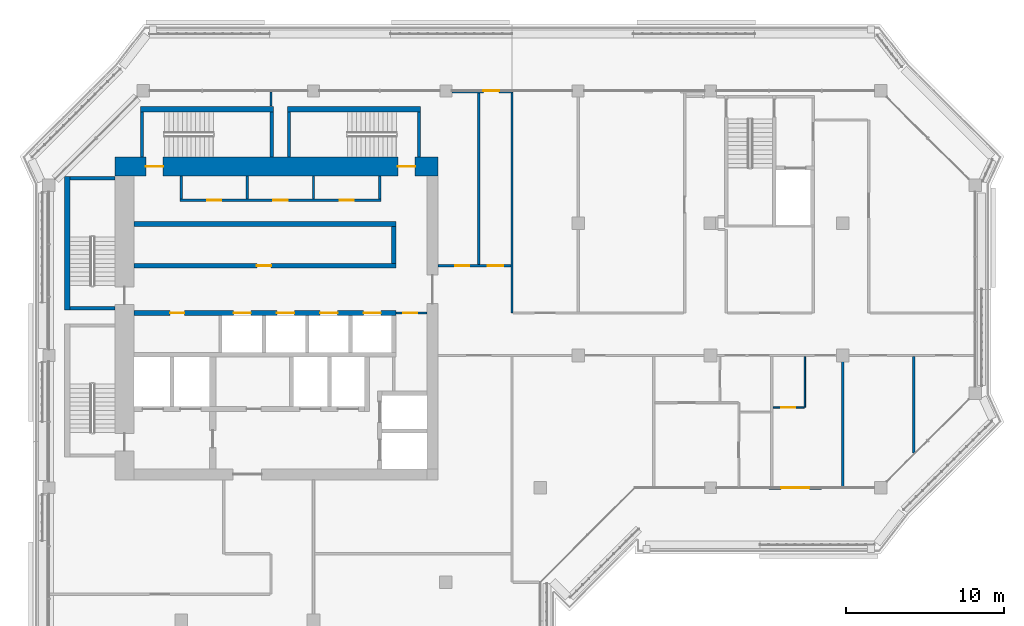
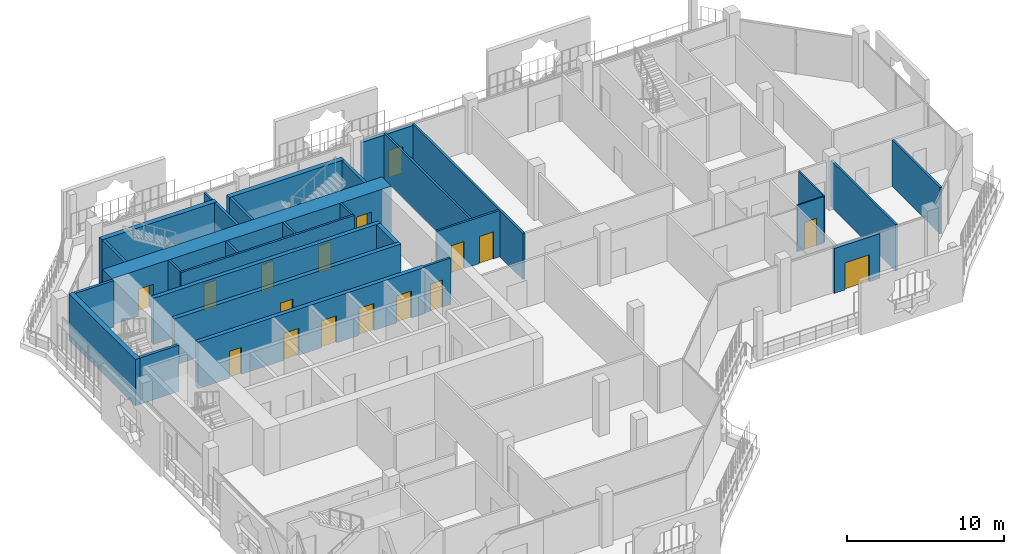
# One storey, part 12 of 21: 30 walls, 17 doors, 17 openings.
"""IFC4 building model written with IfcOpenShell, lengths in metres."""

from ifc_helpers import new_model, si_unit, direction, frame, frame_2d, origin, place, context, subcontext, project, spatial, rectangle, extrude, material, layer, layer_set, type_object, element, fill, save


model = new_model("IFC4")

# Units and contexts
model_context = context("Model", 3, precision=1e-05, world=origin(), true_north=direction((0.0, 1.0)))
body_context = subcontext(model_context, "Body", "Model", "MODEL_VIEW")
ifc_project = project(units=[si_unit("LENGTHUNIT", "METRE"), si_unit("AREAUNIT", "SQUARE_METRE"), si_unit("VOLUMEUNIT", "CUBIC_METRE"), si_unit("PLANEANGLEUNIT", "RADIAN"), si_unit("MASSUNIT", "GRAM", prefix="KILO")], contexts=[model_context])

# Site, building, storey
site_placement = place(None, origin())
site = spatial("IfcSite", under=ifc_project, at=site_placement, CompositionType="ELEMENT")
building_placement = place(site_placement, origin())
building = spatial("IfcBuilding", under=site, at=building_placement, Name="Kawkab Arch Medical Tower", CompositionType="ELEMENT")
storey_placement = place(building_placement, frame((0.0, 0.0, 315.39990234375)))
storey = spatial("IfcBuildingStorey", under=building, at=storey_placement, Name="L73", CompositionType="ELEMENT", Elevation=315.39990234375)

# Wall, openings, doors
ifc_material_1 = material(Name="Concrete C50/60", Category="concrete")
ifc_layer_1 = layer(ifc_material_1, 1.199951171875)
ifc_layer_set_1 = layer_set([ifc_layer_1], Name="Concrete C50/60")
wall_type_1 = type_object("IfcWallType", Name="Core ring wall 1200 C50/60", PredefinedType="SHEAR", material=ifc_layer_set_1)
wall_1_placement = place(storey_placement, frame((4.199951171875, -4.800048828125, 0.0), z_axis=(0.0, 0.0, 1.0), x_axis=(1.0, 0.0, 0.0)))
wall_1 = element("IfcWall", 1, at=wall_1_placement, inside=storey, type_object=wall_type_1, Name="L73 core wall", PredefinedType="SHEAR", context=body_context, shape_type="SweptSolid", body=[
    extrude(rectangle(XDim=20.5, YDim=1.199951171875, at=frame_2d((10.25, 0.0))), origin(), (0.0, 0.0, 1.0), 3.60009765625),
])
opening_1_placement = place(wall_1_placement, frame((1.949951171875, 0.0, 0.0)))
opening_1 = element("IfcOpeningElement", 2, at=opening_1_placement, cuts=wall_1, Name="Opening SD", PredefinedType="OPENING", context=body_context, shape_type="SweptSolid", body=[
    extrude(rectangle(XDim=1.10009765625, YDim=2.10009765625, at=frame_2d((0.550048828125, 1.050048828125))), frame((0.0, 0.60986328125, 0.0), z_axis=(0.0, -1.0, 0.0), x_axis=(1.0, 0.0, 0.0)), (0.0, 0.0, 1.0), 1.219970703125),
])
opening_2_placement = place(wall_1_placement, frame((17.949951171875, 0.0, 0.0)))
opening_2 = element("IfcOpeningElement", 3, at=opening_2_placement, cuts=wall_1, Name="Opening SD", PredefinedType="OPENING", context=body_context, shape_type="SweptSolid", body=[
    extrude(rectangle(XDim=1.10009765625, YDim=2.10009765625, at=frame_2d((0.550048828125, 1.050048828125))), frame((0.0, 0.60986328125, 0.0), z_axis=(0.0, -1.0, 0.0), x_axis=(1.0, 0.0, 0.0)), (0.0, 0.0, 1.0), 1.219970703125),
])
ifc_material_2 = material(Name="Hollow metal fire door leaf")
door_type_1 = type_object("IfcDoorType", Name="Exit stair door 1100", OperationType="SINGLE_SWING_LEFT", PredefinedType="DOOR", material=ifc_material_2)
door_1_placement = place(opening_1_placement, origin())
door_1 = element("IfcDoor", 4, at=door_1_placement, inside=storey, type_object=door_type_1, Name="L73 Exit stair ST3 door", OperationType="SINGLE_SWING_LEFT", OverallHeight=2.10009765625, OverallWidth=1.10009765625, PredefinedType="DOOR", context=body_context, shape_type="SweptSolid", body=[
    extrude(rectangle(XDim=1.10009765625, YDim=2.10009765625, at=frame_2d((0.550048828125, 1.050048828125))), frame((0.0, 0.02490234375, 0.0), z_axis=(0.0, -1.0, 0.0), x_axis=(1.0, 0.0, 0.0)), (0.0, 0.0, 1.0), 0.050048828125),
])
fill(opening_1, door_1)
door_2_placement = place(opening_2_placement, origin())
door_2 = element("IfcDoor", 5, at=door_2_placement, inside=storey, type_object=door_type_1, Name="L73 Exit stair ST4 door", OperationType="SINGLE_SWING_LEFT", OverallHeight=2.10009765625, OverallWidth=1.10009765625, PredefinedType="DOOR", context=body_context, shape_type="SweptSolid", body=[
    extrude(rectangle(XDim=1.10009765625, YDim=2.10009765625, at=frame_2d((0.550048828125, 1.050048828125))), frame((0.0, 0.02490234375, 0.0), z_axis=(0.0, -1.0, 0.0), x_axis=(1.0, 0.0, 0.0)), (0.0, 0.0, 1.0), 0.050048828125),
])
fill(opening_2, door_2)

# Wall, opening, door
ifc_material_3 = material(Name="Gypsum board on steel studs", Category="steel")
ifc_layer_2 = layer(ifc_material_3, 0.14990234375)
ifc_layer_set_2 = layer_set([ifc_layer_2], Name="Gypsum board on steel studs")
wall_type_2 = type_object("IfcWallType", Name="Core room partition 150", PredefinedType="PARTITIONING", material=ifc_layer_set_2)
wall_2_placement = place(storey_placement, frame((22.050048828125, -14.10009765625, 0.0), z_axis=(0.0, 0.0, 1.0), x_axis=(1.0, 0.0, 0.0)))
wall_2 = element("IfcWall", 6, at=wall_2_placement, inside=storey, type_object=wall_type_2, Name="L73 core room partition", PredefinedType="PARTITIONING", context=body_context, shape_type="SweptSolid", body=[
    extrude(rectangle(XDim=1.949951171875, YDim=0.14990234375, at=frame_2d((0.97509765625, 0.0))), origin(), (0.0, 0.0, 1.0), 3.60009765625),
])
opening_3_placement = place(wall_2_placement, frame((0.449951171875, 0.0, 0.0)))
opening_3 = element("IfcOpeningElement", 7, at=opening_3_placement, cuts=wall_2, Name="Opening RD", PredefinedType="OPENING", context=body_context, shape_type="SweptSolid", body=[
    extrude(rectangle(XDim=0.89990234375, YDim=2.10009765625, at=frame_2d((0.449951171875, 1.050048828125))), frame((0.0, 0.0849609375, 0.0), z_axis=(0.0, -1.0, 0.0), x_axis=(1.0, 0.0, 0.0)), (0.0, 0.0, 1.0), 0.169921875),
])
ifc_material_4 = material(Name="Hollow metal fire door leaf")
door_type_2 = type_object("IfcDoorType", Name="Core room door 900", OperationType="SINGLE_SWING_LEFT", PredefinedType="DOOR", material=ifc_material_4)
door_3_placement = place(opening_3_placement, origin())
door_3 = element("IfcDoor", 8, at=door_3_placement, inside=storey, type_object=door_type_2, Name="L73 Clean utility room door", OperationType="SINGLE_SWING_LEFT", OverallHeight=2.10009765625, OverallWidth=0.89990234375, PredefinedType="DOOR", context=body_context, shape_type="SweptSolid", body=[
    extrude(rectangle(XDim=0.89990234375, YDim=2.10009765625, at=frame_2d((0.449951171875, 1.050048828125))), frame((0.0, 0.02490234375, 0.0), z_axis=(0.0, -1.0, 0.0), x_axis=(1.0, 0.0, 0.0)), (0.0, 0.0, 1.0), 0.050048828125),
])
fill(opening_3, door_3)

# Wall, openings, doors
wall_3_placement = place(storey_placement, frame((8.324951171875, -6.949951171875, 0.0), z_axis=(0.0, 0.0, 1.0), x_axis=(1.0, 0.0, 0.0)))
wall_3 = element("IfcWall", 9, at=wall_3_placement, inside=storey, type_object=wall_type_2, Name="L73 core room partition", PredefinedType="PARTITIONING", context=body_context, shape_type="SweptSolid", body=[
    extrude(rectangle(XDim=12.75, YDim=0.14990234375, at=frame_2d((6.375, 0.0))), origin(), (0.0, 0.0, 1.0), 3.60009765625),
])
opening_4_placement = place(wall_3_placement, frame((1.72509765625, 0.0, 0.0)))
opening_4 = element("IfcOpeningElement", 10, at=opening_4_placement, cuts=wall_3, Name="Opening RD", PredefinedType="OPENING", context=body_context, shape_type="SweptSolid", body=[
    extrude(rectangle(XDim=0.89990234375, YDim=2.10009765625, at=frame_2d((0.449951171875, 1.050048828125))), frame((0.0, 0.0849609375, 0.0), z_axis=(0.0, -1.0, 0.0), x_axis=(1.0, 0.0, 0.0)), (0.0, 0.0, 1.0), 0.169921875),
])
opening_5_placement = place(wall_3_placement, frame((5.925048828125, 0.0, 0.0)))
opening_5 = element("IfcOpeningElement", 11, at=opening_5_placement, cuts=wall_3, Name="Opening RD", PredefinedType="OPENING", context=body_context, shape_type="SweptSolid", body=[
    extrude(rectangle(XDim=0.89990234375, YDim=2.10009765625, at=frame_2d((0.449951171875, 1.050048828125))), frame((0.0, 0.0849609375, 0.0), z_axis=(0.0, -1.0, 0.0), x_axis=(1.0, 0.0, 0.0)), (0.0, 0.0, 1.0), 0.169921875),
])
opening_6_placement = place(wall_3_placement, frame((10.125, 0.0, 0.0)))
opening_6 = element("IfcOpeningElement", 12, at=opening_6_placement, cuts=wall_3, Name="Opening RD", PredefinedType="OPENING", context=body_context, shape_type="SweptSolid", body=[
    extrude(rectangle(XDim=0.89990234375, YDim=2.10009765625, at=frame_2d((0.449951171875, 1.050048828125))), frame((0.0, 0.0849609375, 0.0), z_axis=(0.0, -1.0, 0.0), x_axis=(1.0, 0.0, 0.0)), (0.0, 0.0, 1.0), 0.169921875),
])
door_4_placement = place(opening_4_placement, origin())
door_4 = element("IfcDoor", 13, at=door_4_placement, inside=storey, type_object=door_type_2, Name="L73 Electrical riser room door", OperationType="SINGLE_SWING_LEFT", OverallHeight=2.10009765625, OverallWidth=0.89990234375, PredefinedType="DOOR", context=body_context, shape_type="SweptSolid", body=[
    extrude(rectangle(XDim=0.89990234375, YDim=2.10009765625, at=frame_2d((0.449951171875, 1.050048828125))), frame((0.0, 0.02490234375, 0.0), z_axis=(0.0, -1.0, 0.0), x_axis=(1.0, 0.0, 0.0)), (0.0, 0.0, 1.0), 0.050048828125),
])
fill(opening_4, door_4)
door_5_placement = place(opening_5_placement, origin())
door_5 = element("IfcDoor", 14, at=door_5_placement, inside=storey, type_object=door_type_2, Name="L73 Equipment store door", OperationType="SINGLE_SWING_LEFT", OverallHeight=2.10009765625, OverallWidth=0.89990234375, PredefinedType="DOOR", context=body_context, shape_type="SweptSolid", body=[
    extrude(rectangle(XDim=0.89990234375, YDim=2.10009765625, at=frame_2d((0.449951171875, 1.050048828125))), frame((0.0, 0.02490234375, 0.0), z_axis=(0.0, -1.0, 0.0), x_axis=(1.0, 0.0, 0.0)), (0.0, 0.0, 1.0), 0.050048828125),
])
fill(opening_5, door_5)
door_6_placement = place(opening_6_placement, origin())
door_6 = element("IfcDoor", 15, at=door_6_placement, inside=storey, type_object=door_type_2, Name="L73 Sprinkler valve room door", OperationType="SINGLE_SWING_LEFT", OverallHeight=2.10009765625, OverallWidth=0.89990234375, PredefinedType="DOOR", context=body_context, shape_type="SweptSolid", body=[
    extrude(rectangle(XDim=0.89990234375, YDim=2.10009765625, at=frame_2d((0.449951171875, 1.050048828125))), frame((0.0, 0.02490234375, 0.0), z_axis=(0.0, -1.0, 0.0), x_axis=(1.0, 0.0, 0.0)), (0.0, 0.0, 1.0), 0.050048828125),
])
fill(opening_6, door_6)

# Walls
for number, where, z_axis, x_axis, name in (
    (16, (8.39990234375, -6.875, 0.0), (0.0, 0.0, 1.0), (0.0, 1.0, 0.0), "L73 core room partition"),
    (17, (12.60009765625, -6.875, 0.0), (0.0, 0.0, 1.0), (0.0, 1.0, 0.0), "L73 core room partition"),
    (18, (16.800048828125, -6.875, 0.0), (0.0, 0.0, 1.0), (0.0, 1.0, 0.0), "L73 core room partition"),
    (19, (21.0, -6.875, 0.0), (0.0, 0.0, 1.0), (0.0, 1.0, 0.0), "L73 core room partition"),
):
    element("IfcWall", number, at=place(storey_placement, frame(where, z_axis=z_axis, x_axis=x_axis)), inside=storey, type_object=wall_type_2, Name=name, PredefinedType="PARTITIONING", context=body_context, shape_type="SweptSolid", body=[
        extrude(rectangle(XDim=1.47509765625, YDim=0.14990234375, at=frame_2d((0.737548828125, 0.0))), origin(), (0.0, 0.0, 1.0), 3.60009765625),
    ])
ifc_material_5 = material(Name="Concrete C60/75", Category="concrete")
ifc_layer_3 = layer(ifc_material_5, 0.300048828125)
ifc_layer_set_3 = layer_set([ifc_layer_3], Name="Concrete C60/75")
wall_type_3 = type_object("IfcWallType", Name="Core shear wall 300 C60/75", PredefinedType="SHEAR", material=ifc_layer_set_3)
wall_4_placement = place(storey_placement, frame((5.39990234375, -8.449951171875, 0.0), z_axis=(0.0, 0.0, 1.0), x_axis=(1.0, 0.0, 0.0)))
element("IfcWall", 20, at=wall_4_placement, inside=storey, type_object=wall_type_3, Name="L73 core shear wall", PredefinedType="SHEAR", context=body_context, shape_type="SweptSolid", body=[
    extrude(rectangle(XDim=16.650146484375, YDim=0.300048828125, at=frame_2d((8.3251953125, 0.0))), origin(), (0.0, 0.0, 1.0), 3.60009765625),
])

# Wall, opening, door
wall_5_placement = place(storey_placement, frame((5.39990234375, -11.10009765625, 0.0), z_axis=(0.0, 0.0, 1.0), x_axis=(1.0, 0.0, 0.0)))
wall_5 = element("IfcWall", 21, at=wall_5_placement, inside=storey, type_object=wall_type_3, Name="L73 core shear wall", PredefinedType="SHEAR", context=body_context, shape_type="SweptSolid", body=[
    extrude(rectangle(XDim=16.650146484375, YDim=0.300048828125, at=frame_2d((8.3251953125, 0.0))), origin(), (0.0, 0.0, 1.0), 3.60009765625),
])
opening_7_placement = place(wall_5_placement, frame((7.800048828125, 0.0, 0.0)))
opening_7 = element("IfcOpeningElement", 22, at=opening_7_placement, cuts=wall_5, Name="Opening RD", PredefinedType="OPENING", context=body_context, shape_type="SweptSolid", body=[
    extrude(rectangle(XDim=0.89990234375, YDim=2.10009765625, at=frame_2d((0.449951171875, 1.050048828125))), frame((0.0, 0.159912109375, 0.0), z_axis=(0.0, -1.0, 0.0), x_axis=(1.0, 0.0, 0.0)), (0.0, 0.0, 1.0), 0.320068359375),
])
door_7_placement = place(opening_7_placement, origin())
door_7 = element("IfcDoor", 23, at=door_7_placement, inside=storey, type_object=door_type_2, Name="L73 General store door", OperationType="SINGLE_SWING_LEFT", OverallHeight=2.10009765625, OverallWidth=0.89990234375, PredefinedType="DOOR", context=body_context, shape_type="SweptSolid", body=[
    extrude(rectangle(XDim=0.89990234375, YDim=2.10009765625, at=frame_2d((0.449951171875, 1.050048828125))), frame((0.0, 0.02490234375, 0.0), z_axis=(0.0, -1.0, 0.0), x_axis=(1.0, 0.0, 0.0)), (0.0, 0.0, 1.0), 0.050048828125),
])
fill(opening_7, door_7)

# Wall, openings, doors
wall_6_placement = place(storey_placement, frame((5.39990234375, -14.10009765625, 0.0), z_axis=(0.0, 0.0, 1.0), x_axis=(1.0, 0.0, 0.0)))
wall_6 = element("IfcWall", 24, at=wall_6_placement, inside=storey, type_object=wall_type_3, Name="L73 core shear wall", PredefinedType="SHEAR", context=body_context, shape_type="SweptSolid", body=[
    extrude(rectangle(XDim=16.650146484375, YDim=0.300048828125, at=frame_2d((8.3251953125, 0.0))), origin(), (0.0, 0.0, 1.0), 3.60009765625),
])
opening_8_placement = place(wall_6_placement, frame((6.324951171875, 0.0, 0.0)))
opening_8 = element("IfcOpeningElement", 25, at=opening_8_placement, cuts=wall_6, Name="Opening LD1", PredefinedType="OPENING", context=body_context, shape_type="SweptSolid", body=[
    extrude(rectangle(XDim=1.10009765625, YDim=2.10009765625, at=frame_2d((0.550048828125, 1.050048828125))), frame((0.0, 0.159912109375, 0.0), z_axis=(0.0, -1.0, 0.0), x_axis=(1.0, 0.0, 0.0)), (0.0, 0.0, 1.0), 0.320068359375),
])
opening_9_placement = place(wall_6_placement, frame((9.074951171875, 0.0, 0.0)))
opening_9 = element("IfcOpeningElement", 26, at=opening_9_placement, cuts=wall_6, Name="Opening LD1", PredefinedType="OPENING", context=body_context, shape_type="SweptSolid", body=[
    extrude(rectangle(XDim=1.10009765625, YDim=2.10009765625, at=frame_2d((0.550048828125, 1.050048828125))), frame((0.0, 0.159912109375, 0.0), z_axis=(0.0, -1.0, 0.0), x_axis=(1.0, 0.0, 0.0)), (0.0, 0.0, 1.0), 0.320068359375),
])
opening_10_placement = place(wall_6_placement, frame((11.824951171875, 0.0, 0.0)))
opening_10 = element("IfcOpeningElement", 27, at=opening_10_placement, cuts=wall_6, Name="Opening LD1", PredefinedType="OPENING", context=body_context, shape_type="SweptSolid", body=[
    extrude(rectangle(XDim=1.10009765625, YDim=2.10009765625, at=frame_2d((0.550048828125, 1.050048828125))), frame((0.0, 0.159912109375, 0.0), z_axis=(0.0, -1.0, 0.0), x_axis=(1.0, 0.0, 0.0)), (0.0, 0.0, 1.0), 0.320068359375),
])
opening_11_placement = place(wall_6_placement, frame((14.574951171875, 0.0, 0.0)))
opening_11 = element("IfcOpeningElement", 28, at=opening_11_placement, cuts=wall_6, Name="Opening LD1", PredefinedType="OPENING", context=body_context, shape_type="SweptSolid", body=[
    extrude(rectangle(XDim=1.10009765625, YDim=2.10009765625, at=frame_2d((0.550048828125, 1.050048828125))), frame((0.0, 0.159912109375, 0.0), z_axis=(0.0, -1.0, 0.0), x_axis=(1.0, 0.0, 0.0)), (0.0, 0.0, 1.0), 0.320068359375),
])
opening_12_placement = place(wall_6_placement, frame((2.300048828125, 0.0, 0.0)))
opening_12 = element("IfcOpeningElement", 29, at=opening_12_placement, cuts=wall_6, Name="Opening RD", PredefinedType="OPENING", context=body_context, shape_type="SweptSolid", body=[
    extrude(rectangle(XDim=0.89990234375, YDim=2.10009765625, at=frame_2d((0.449951171875, 1.050048828125))), frame((0.0, 0.159912109375, 0.0), z_axis=(0.0, -1.0, 0.0), x_axis=(1.0, 0.0, 0.0)), (0.0, 0.0, 1.0), 0.320068359375),
])
door_8_placement = place(opening_12_placement, origin())
door_8 = element("IfcDoor", 30, at=door_8_placement, inside=storey, type_object=door_type_2, Name="L73 General store door", OperationType="SINGLE_SWING_LEFT", OverallHeight=2.10009765625, OverallWidth=0.89990234375, PredefinedType="DOOR", context=body_context, shape_type="SweptSolid", body=[
    extrude(rectangle(XDim=0.89990234375, YDim=2.10009765625, at=frame_2d((0.449951171875, 1.050048828125))), frame((0.0, 0.02490234375, 0.0), z_axis=(0.0, -1.0, 0.0), x_axis=(1.0, 0.0, 0.0)), (0.0, 0.0, 1.0), 0.050048828125),
])
fill(opening_12, door_8)
ifc_material_6 = material(Name="Stainless steel lift door leaf", Category="steel")
door_type_3 = type_object("IfcDoorType", Name="Lift landing door 1100", OperationType="DOUBLE_DOOR_SLIDING", PredefinedType="DOOR", material=ifc_material_6)
door_9_placement = place(opening_8_placement, origin())
door_9 = element("IfcDoor", 31, at=door_9_placement, inside=storey, type_object=door_type_3, Name="L73 Lift landing door HP1", OperationType="DOUBLE_DOOR_SLIDING", OverallHeight=2.10009765625, OverallWidth=1.10009765625, PredefinedType="DOOR", context=body_context, shape_type="SweptSolid", body=[
    extrude(rectangle(XDim=1.10009765625, YDim=2.10009765625, at=frame_2d((0.550048828125, 1.050048828125))), frame((0.0, 0.02490234375, 0.0), z_axis=(0.0, -1.0, 0.0), x_axis=(1.0, 0.0, 0.0)), (0.0, 0.0, 1.0), 0.050048828125),
])
fill(opening_8, door_9)
door_10_placement = place(opening_9_placement, origin())
door_10 = element("IfcDoor", 32, at=door_10_placement, inside=storey, type_object=door_type_3, Name="L73 Lift landing door HP2", OperationType="DOUBLE_DOOR_SLIDING", OverallHeight=2.10009765625, OverallWidth=1.10009765625, PredefinedType="DOOR", context=body_context, shape_type="SweptSolid", body=[
    extrude(rectangle(XDim=1.10009765625, YDim=2.10009765625, at=frame_2d((0.550048828125, 1.050048828125))), frame((0.0, 0.02490234375, 0.0), z_axis=(0.0, -1.0, 0.0), x_axis=(1.0, 0.0, 0.0)), (0.0, 0.0, 1.0), 0.050048828125),
])
fill(opening_9, door_10)
door_11_placement = place(opening_10_placement, origin())
door_11 = element("IfcDoor", 33, at=door_11_placement, inside=storey, type_object=door_type_3, Name="L73 Lift landing door HP3", OperationType="DOUBLE_DOOR_SLIDING", OverallHeight=2.10009765625, OverallWidth=1.10009765625, PredefinedType="DOOR", context=body_context, shape_type="SweptSolid", body=[
    extrude(rectangle(XDim=1.10009765625, YDim=2.10009765625, at=frame_2d((0.550048828125, 1.050048828125))), frame((0.0, 0.02490234375, 0.0), z_axis=(0.0, -1.0, 0.0), x_axis=(1.0, 0.0, 0.0)), (0.0, 0.0, 1.0), 0.050048828125),
])
fill(opening_10, door_11)
door_12_placement = place(opening_11_placement, origin())
door_12 = element("IfcDoor", 34, at=door_12_placement, inside=storey, type_object=door_type_3, Name="L73 Lift landing door HP4", OperationType="DOUBLE_DOOR_SLIDING", OverallHeight=2.10009765625, OverallWidth=1.10009765625, PredefinedType="DOOR", context=body_context, shape_type="SweptSolid", body=[
    extrude(rectangle(XDim=1.10009765625, YDim=2.10009765625, at=frame_2d((0.550048828125, 1.050048828125))), frame((0.0, 0.02490234375, 0.0), z_axis=(0.0, -1.0, 0.0), x_axis=(1.0, 0.0, 0.0)), (0.0, 0.0, 1.0), 0.050048828125),
])
fill(opening_11, door_12)

# Wall
wall_7_placement = place(storey_placement, frame((21.89990234375, -10.949951171875, 0.0), z_axis=(0.0, 0.0, 1.0), x_axis=(0.0, 1.0, 0.0)))
element("IfcWall", 35, at=wall_7_placement, inside=storey, type_object=wall_type_3, Name="L73 core shear wall", PredefinedType="SHEAR", context=body_context, shape_type="SweptSolid", body=[
    extrude(rectangle(XDim=2.349853515625, YDim=0.300048828125, at=frame_2d((1.1748046875, 0.0))), origin(), (0.0, 0.0, 1.0), 3.60009765625),
])

# Wall, opening, door
ifc_material_7 = material(Name="Bronze clad insulated wall panel")
ifc_layer_4 = layer(ifc_material_7, 0.25)
ifc_layer_set_4 = layer_set([ifc_layer_4], Name="Bronze clad insulated wall panel")
wall_type_4 = type_object("IfcWallType", Name="External wall bay 250", PredefinedType="SOLIDWALL", material=ifc_layer_set_4)
wall_8_placement = place(storey_placement, frame((45.716552734375, -25.199951171875, 0.0), z_axis=(0.0, 0.0, 1.0), x_axis=(1.0, 0.0, 0.0)))
wall_8 = element("IfcWall", 36, at=wall_8_placement, inside=storey, type_object=wall_type_4, Name="External wall bay L73.R11.2.2", PredefinedType="SOLIDWALL", context=body_context, shape_type="SweptSolid", body=[
    extrude(rectangle(XDim=3.341796875, YDim=0.25, at=frame_2d((1.6708984375, 0.0))), origin(), (0.0, 0.0, 1.0), 3.47998046875),
])
opening_13_placement = place(wall_8_placement, frame((0.770751953125, 0.0, 0.0)))
opening_13 = element("IfcOpeningElement", 37, at=opening_13_placement, cuts=wall_8, Name="Opening W68-701", PredefinedType="OPENING", context=body_context, shape_type="SweptSolid", body=[
    extrude(rectangle(XDim=1.800048828125, YDim=2.10009765625, at=frame_2d((0.89990234375, 1.050048828125))), frame((0.0, 0.135009765625, 0.0), z_axis=(0.0, -1.0, 0.0), x_axis=(1.0, 0.0, 0.0)), (0.0, 0.0, 1.0), 0.27001953125),
])
ifc_material_8 = material(Name="Bronze anodised aluminium door with tinted glass", Category="aluminium")
door_type_4 = type_object("IfcDoorType", Name="Double external door 1800 x 2100", OperationType="DOUBLE_DOOR_SINGLE_SWING", PredefinedType="DOOR", material=ifc_material_8)
door_13_placement = place(opening_13_placement, origin())
door_13 = element("IfcDoor", 38, at=door_13_placement, inside=storey, type_object=door_type_4, Name="External door L73.R11.2.2", OperationType="DOUBLE_DOOR_SINGLE_SWING", OverallHeight=2.10009765625, OverallWidth=1.800048828125, PredefinedType="DOOR", context=body_context, shape_type="SweptSolid", body=[
    extrude(rectangle(XDim=1.800048828125, YDim=2.10009765625, at=frame_2d((0.89990234375, 1.050048828125))), frame((0.0, 0.02490234375, 0.0), z_axis=(0.0, -1.0, 0.0), x_axis=(1.0, 0.0, 0.0)), (0.0, 0.0, 1.0), 0.050048828125),
])
fill(opening_13, door_13)

wall_9_placement = place(storey_placement, frame((29.39990234375, 0.0, 0.0), z_axis=(0.0, 0.0, 1.0), x_axis=(-1.0, 0.0, 0.0)))
wall_9 = element("IfcWall", 39, at=wall_9_placement, inside=storey, type_object=wall_type_4, Name="External wall bay L73.R15.3.2", PredefinedType="SOLIDWALL", context=body_context, shape_type="SweptSolid", body=[
    extrude(rectangle(XDim=3.824951171875, YDim=0.25, at=frame_2d((1.91259765625, 0.0))), origin(), (0.0, 0.0, 1.0), 3.47998046875),
])
opening_14_placement = place(wall_9_placement, frame((0.8125, 0.0, 0.0)))
opening_14 = element("IfcOpeningElement", 40, at=opening_14_placement, cuts=wall_9, Name="Opening W68-702", PredefinedType="OPENING", context=body_context, shape_type="SweptSolid", body=[
    extrude(rectangle(XDim=1.0, YDim=2.10009765625, at=frame_2d((0.5, 1.050048828125))), frame((0.0, 0.135009765625, 0.0), z_axis=(0.0, -1.0, 0.0), x_axis=(1.0, 0.0, 0.0)), (0.0, 0.0, 1.0), 0.27001953125),
])
ifc_material_9 = material(Name="Bronze anodised aluminium door with tinted glass", Category="aluminium")
door_type_5 = type_object("IfcDoorType", Name="Single external door 1000 x 2100", OperationType="SINGLE_SWING_LEFT", PredefinedType="DOOR", material=ifc_material_9)
door_14_placement = place(opening_14_placement, origin())
door_14 = element("IfcDoor", 41, at=door_14_placement, inside=storey, type_object=door_type_5, Name="External door L73.R15.3.2", OperationType="SINGLE_SWING_LEFT", OverallHeight=2.10009765625, OverallWidth=1.0, PredefinedType="DOOR", context=body_context, shape_type="SweptSolid", body=[
    extrude(rectangle(XDim=1.0, YDim=2.10009765625, at=frame_2d((0.5, 1.050048828125))), frame((0.0, 0.02490234375, 0.0), z_axis=(0.0, -1.0, 0.0), x_axis=(1.0, 0.0, 0.0)), (0.0, 0.0, 1.0), 0.050048828125),
])
fill(opening_14, door_14)

ifc_material_10 = material(Name="Gypsum board partition on steel studs", Category="steel")
ifc_layer_5 = layer(ifc_material_10, 0.10009765625)
ifc_layer_set_5 = layer_set([ifc_layer_5], Name="Gypsum board partition on steel studs")
wall_type_5 = type_object("IfcWallType", Name="Partition 100", PredefinedType="PARTITIONING", material=ifc_layer_set_5)
wall_10_placement = place(storey_placement, frame((45.97509765625, -20.10009765625, 0.0), z_axis=(0.0, 0.0, 1.0), x_axis=(1.0, 0.0, 0.0)))
wall_10 = element("IfcWall", 42, at=wall_10_placement, inside=storey, type_object=wall_type_5, Name="Partition 100 w002", PredefinedType="PARTITIONING", context=body_context, shape_type="SweptSolid", body=[
    extrude(rectangle(XDim=1.974853515625, YDim=0.10009765625, at=frame_2d((0.9873046875, 0.0))), origin(), (0.0, 0.0, 1.0), 3.60009765625),
])
opening_15_placement = place(wall_10_placement, frame((0.52490234375, 0.0, 0.0)))
opening_15 = element("IfcOpeningElement", 43, at=opening_15_placement, cuts=wall_10, Name="Opening W68-005", PredefinedType="OPENING", context=body_context, shape_type="SweptSolid", body=[
    extrude(rectangle(XDim=0.89990234375, YDim=2.10009765625, at=frame_2d((0.449951171875, 1.050048828125))), frame((0.0, 0.06005859375, 0.0), z_axis=(0.0, -1.0, 0.0), x_axis=(1.0, 0.0, 0.0)), (0.0, 0.0, 1.0), 0.1201171875),
])
ifc_material_11 = material(Name="Timber door leaf", Category="wood")
door_type_6 = type_object("IfcDoorType", Name="Single door 900x2100", OperationType="NOTDEFINED", PredefinedType="DOOR", material=ifc_material_11)
door_15_placement = place(opening_15_placement, origin())
door_15 = element("IfcDoor", 44, at=door_15_placement, inside=storey, type_object=door_type_6, Name="Door W68-005", OperationType="SINGLE_SWING_LEFT", OverallHeight=2.10009765625, OverallWidth=0.89990234375, PredefinedType="DOOR", context=body_context, shape_type="SweptSolid", body=[
    extrude(rectangle(XDim=0.89990234375, YDim=2.10009765625, at=frame_2d((0.449951171875, 1.050048828125))), frame((0.0, 0.02490234375, 0.0), z_axis=(0.0, -1.0, 0.0), x_axis=(1.0, 0.0, 0.0)), (0.0, 0.0, 1.0), 0.050048828125),
])
fill(opening_15, door_15)

# Wall
wall_11_placement = place(storey_placement, frame((48.0, -20.10009765625, 0.0), z_axis=(0.0, 0.0, 1.0), x_axis=(0.0, 1.0, 0.0)))
element("IfcWall", 45, at=wall_11_placement, inside=storey, type_object=wall_type_5, Name="Partition 100 w006", PredefinedType="PARTITIONING", context=body_context, shape_type="SweptSolid", body=[
    extrude(rectangle(XDim=3.22509765625, YDim=0.10009765625, at=frame_2d((1.612548828125, 0.0))), origin(), (0.0, 0.0, 1.0), 3.60009765625),
])

# Wall, openings, doors
ifc_material_12 = material(Name="Gypsum board partition on steel studs, mineral wool", Category="steel")
ifc_layer_6 = layer(ifc_material_12, 0.14990234375)
ifc_layer_set_6 = layer_set([ifc_layer_6], Name="Gypsum board partition on steel studs, mineral wool")
wall_type_6 = type_object("IfcWallType", Name="Partition 150", PredefinedType="PARTITIONING", material=ifc_layer_set_6)
wall_12_placement = place(storey_placement, frame((24.699951171875, -11.10009765625, 0.0), z_axis=(0.0, 0.0, 1.0), x_axis=(1.0, 0.0, 0.0)))
wall_12 = element("IfcWall", 46, at=wall_12_placement, inside=storey, type_object=wall_type_6, Name="Partition 150 w018", PredefinedType="PARTITIONING", context=body_context, shape_type="SweptSolid", body=[
    extrude(rectangle(XDim=4.625, YDim=0.14990234375, at=frame_2d((2.3125, 0.0))), origin(), (0.0, 0.0, 1.0), 3.60009765625),
])
opening_16_placement = place(wall_12_placement, frame((1.10009765625, 0.0, 0.0)))
opening_16 = element("IfcOpeningElement", 47, at=opening_16_placement, cuts=wall_12, Name="Opening W68-006", PredefinedType="OPENING", context=body_context, shape_type="SweptSolid", body=[
    extrude(rectangle(XDim=0.89990234375, YDim=2.10009765625, at=frame_2d((0.449951171875, 1.050048828125))), frame((0.0, 0.0849609375, 0.0), z_axis=(0.0, -1.0, 0.0), x_axis=(1.0, 0.0, 0.0)), (0.0, 0.0, 1.0), 0.169921875),
])
opening_17_placement = place(wall_12_placement, frame((3.14990234375, 0.0, 0.0)))
opening_17 = element("IfcOpeningElement", 48, at=opening_17_placement, cuts=wall_12, Name="Opening W68-009", PredefinedType="OPENING", context=body_context, shape_type="SweptSolid", body=[
    extrude(rectangle(XDim=1.0, YDim=2.10009765625, at=frame_2d((0.5, 1.050048828125))), frame((0.0, 0.0849609375, 0.0), z_axis=(0.0, -1.0, 0.0), x_axis=(1.0, 0.0, 0.0)), (0.0, 0.0, 1.0), 0.169921875),
])
ifc_material_13 = material(Name="Timber door leaf", Category="wood")
door_type_7 = type_object("IfcDoorType", Name="Single door 1000x2100", OperationType="NOTDEFINED", PredefinedType="DOOR", material=ifc_material_13)
door_16_placement = place(opening_17_placement, origin())
door_16 = element("IfcDoor", 49, at=door_16_placement, inside=storey, type_object=door_type_7, Name="Door W68-009", OperationType="SINGLE_SWING_RIGHT", OverallHeight=2.10009765625, OverallWidth=1.0, PredefinedType="DOOR", context=body_context, shape_type="SweptSolid", body=[
    extrude(rectangle(XDim=1.0, YDim=2.10009765625, at=frame_2d((0.5, 1.050048828125))), frame((0.0, 0.02490234375, 0.0), z_axis=(0.0, -1.0, 0.0), x_axis=(1.0, 0.0, 0.0)), (0.0, 0.0, 1.0), 0.050048828125),
])
fill(opening_17, door_16)
door_17_placement = place(opening_16_placement, origin())
door_17 = element("IfcDoor", 50, at=door_17_placement, inside=storey, type_object=door_type_6, Name="Door W68-006", OperationType="SINGLE_SWING_LEFT", OverallHeight=2.10009765625, OverallWidth=0.89990234375, PredefinedType="DOOR", context=body_context, shape_type="SweptSolid", body=[
    extrude(rectangle(XDim=0.89990234375, YDim=2.10009765625, at=frame_2d((0.449951171875, 1.050048828125))), frame((0.0, 0.02490234375, 0.0), z_axis=(0.0, -1.0, 0.0), x_axis=(1.0, 0.0, 0.0)), (0.0, 0.0, 1.0), 0.050048828125),
])
fill(opening_16, door_17)

# Walls
wall_13_placement = place(storey_placement, frame((14.10009765625, -0.969970703125, 0.0), z_axis=(0.0, 0.0, 1.0), x_axis=(0.0, 1.0, 0.0)))
element("IfcWall", 51, at=wall_13_placement, inside=storey, type_object=wall_type_6, Name="Partition 150 w029", PredefinedType="PARTITIONING", context=body_context, shape_type="SweptSolid", body=[
    extrude(rectangle(XDim=0.889892578125, YDim=0.14990234375, at=frame_2d((0.44482421875, 0.0))), origin(), (0.0, 0.0, 1.0), 3.60009765625),
])
wall_14_placement = place(storey_placement, frame((27.300048828125, -11.02490234375, 0.0), z_axis=(0.0, 0.0, 1.0), x_axis=(0.0, 1.0, 0.0)))
element("IfcWall", 52, at=wall_14_placement, inside=storey, type_object=wall_type_6, Name="Partition 150 w031", PredefinedType="PARTITIONING", context=body_context, shape_type="SweptSolid", body=[
    extrude(rectangle(XDim=10.94482421875, YDim=0.14990234375, at=frame_2d((5.472412109375, 0.0))), origin(), (0.0, 0.0, 1.0), 3.60009765625),
])
wall_15_placement = place(storey_placement, frame((29.39990234375, -14.10009765625, 0.0), z_axis=(0.0, 0.0, 1.0), x_axis=(0.0, 1.0, 0.0)))
element("IfcWall", 53, at=wall_15_placement, inside=storey, type_object=wall_type_6, Name="Partition 150 w033", PredefinedType="PARTITIONING", context=body_context, shape_type="SweptSolid", body=[
    extrude(rectangle(XDim=14.02001953125, YDim=0.14990234375, at=frame_2d((7.010009765625, 0.0))), origin(), (0.0, 0.0, 1.0), 3.60009765625),
])
wall_16_placement = place(storey_placement, frame((50.39990234375, -25.1201171875, 0.0), z_axis=(0.0, 0.0, 1.0), x_axis=(0.0, 1.0, 0.0)))
element("IfcWall", 54, at=wall_16_placement, inside=storey, type_object=wall_type_6, Name="Partition 150 w041", PredefinedType="PARTITIONING", context=body_context, shape_type="SweptSolid", body=[
    extrude(rectangle(XDim=8.2451171875, YDim=0.14990234375, at=frame_2d((4.12255859375, 0.0))), origin(), (0.0, 0.0, 1.0), 3.60009765625),
])
wall_17_placement = place(storey_placement, frame((54.89990234375, -22.987060546875, 0.0), z_axis=(0.0, 0.0, 1.0), x_axis=(0.0, 1.0, 0.0)))
element("IfcWall", 55, at=wall_17_placement, inside=storey, type_object=wall_type_6, Name="Partition 150 w043", PredefinedType="PARTITIONING", context=body_context, shape_type="SweptSolid", body=[
    extrude(rectangle(XDim=6.112060546875, YDim=0.14990234375, at=frame_2d((3.05615234375, 0.0))), origin(), (0.0, 0.0, 1.0), 3.60009765625),
])
ifc_material_14 = material(Name="Concrete C50/60", Category="concrete")
ifc_layer_7 = layer(ifc_material_14, 0.199951171875)
ifc_layer_set_7 = layer_set([ifc_layer_7], Name="Concrete C50/60")
wall_type_7 = type_object("IfcWallType", Name="Stair enclosure wall 200 C50/60", PredefinedType="SHEAR", material=ifc_layer_set_7)
for number, where, z_axis, x_axis, name in (
    (56, (1.35009765625, -5.550048828125, 0.0), (0.0, 0.0, 1.0), (1.0, 0.0, 0.0), "L73 stair enclosure wall"),
    (57, (1.35009765625, -13.800048828125, 0.0), (0.0, 0.0, 1.0), (1.0, 0.0, 0.0), "L73 stair enclosure wall"),
    (58, (5.89990234375, -4.199951171875, 0.0), (0.0, 0.0, 1.0), (0.0, 1.0, 0.0), "L73 stair enclosure wall"),
    (59, (14.14990234375, -4.199951171875, 0.0), (0.0, 0.0, 1.0), (0.0, 1.0, 0.0), "L73 stair enclosure wall"),
    (60, (15.25, -4.199951171875, 0.0), (0.0, 0.0, 1.0), (0.0, 1.0, 0.0), "L73 stair enclosure wall"),
    (61, (23.5, -4.199951171875, 0.0), (0.0, 0.0, 1.0), (0.0, 1.0, 0.0), "L73 stair enclosure wall"),
):
    element("IfcWall", number, at=place(storey_placement, frame(where, z_axis=z_axis, x_axis=x_axis)), inside=storey, type_object=wall_type_7, Name=name, PredefinedType="SHEAR", context=body_context, shape_type="SweptSolid", body=[
        extrude(rectangle(XDim=2.849853515625, YDim=0.199951171875, at=frame_2d((1.4248046875, 0.0))), origin(), (0.0, 0.0, 1.0), 3.60009765625),
    ])
ifc_material_15 = material(Name="Concrete C50/60", Category="concrete")
ifc_layer_8 = layer(ifc_material_15, 0.35009765625)
ifc_layer_set_8 = layer_set([ifc_layer_8], Name="Concrete C50/60")
wall_type_8 = type_object("IfcWallType", Name="Stair enclosure wall 350 C50/60", PredefinedType="SHEAR", material=ifc_layer_set_8)
for number, where, z_axis, x_axis, name in (
    (62, (1.175048828125, -13.89990234375, 0.0), (0.0, 0.0, 1.0), (0.0, 1.0, 0.0), "L73 stair enclosure wall"),
    (63, (5.800048828125, -1.175048828125, 0.0), (0.0, 0.0, 1.0), (1.0, 0.0, 0.0), "L73 stair enclosure wall"),
):
    element("IfcWall", number, at=place(storey_placement, frame(where, z_axis=z_axis, x_axis=x_axis)), inside=storey, type_object=wall_type_8, Name=name, PredefinedType="SHEAR", context=body_context, shape_type="SweptSolid", body=[
        extrude(rectangle(XDim=8.449951171875, YDim=0.35009765625, at=frame_2d((4.22509765625, 0.0))), origin(), (0.0, 0.0, 1.0), 3.60009765625),
    ])
wall_18_placement = place(storey_placement, frame((15.14990234375, -1.175048828125, 0.0), z_axis=(0.0, 0.0, 1.0), x_axis=(1.0, 0.0, 0.0)))
element("IfcWall", 64, at=wall_18_placement, inside=storey, type_object=wall_type_8, Name="L73 stair enclosure wall", PredefinedType="SHEAR", context=body_context, shape_type="SweptSolid", body=[
    extrude(rectangle(XDim=8.4501953125, YDim=0.35009765625, at=frame_2d((4.22509765625, 0.0))), origin(), (0.0, 0.0, 1.0), 3.60009765625),
])

save(model, "model.ifc")
